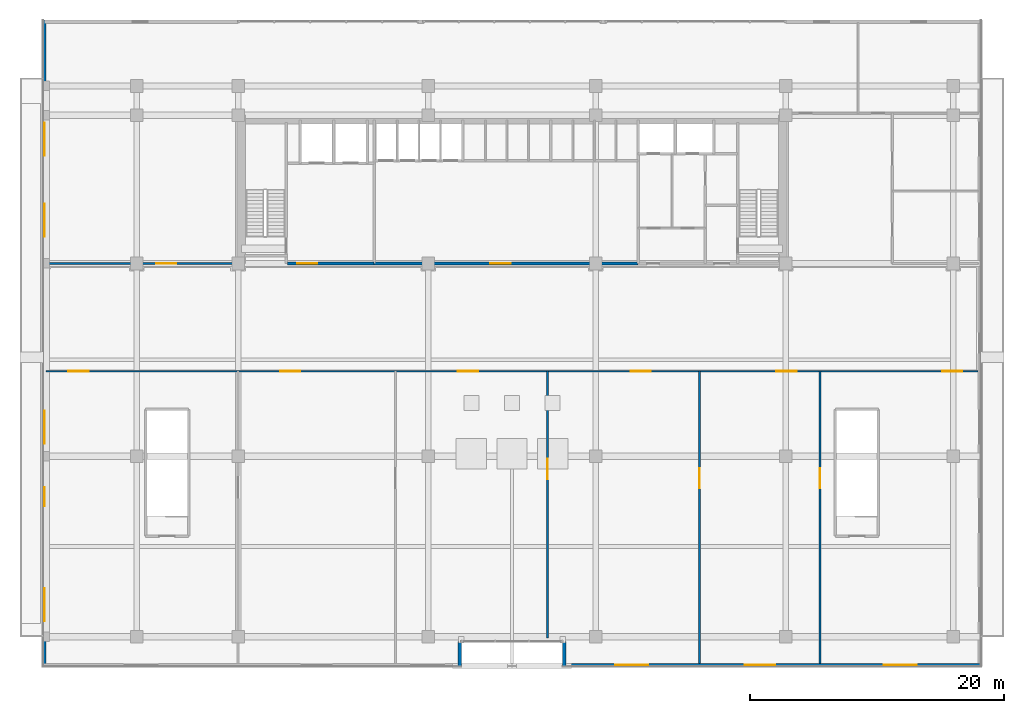
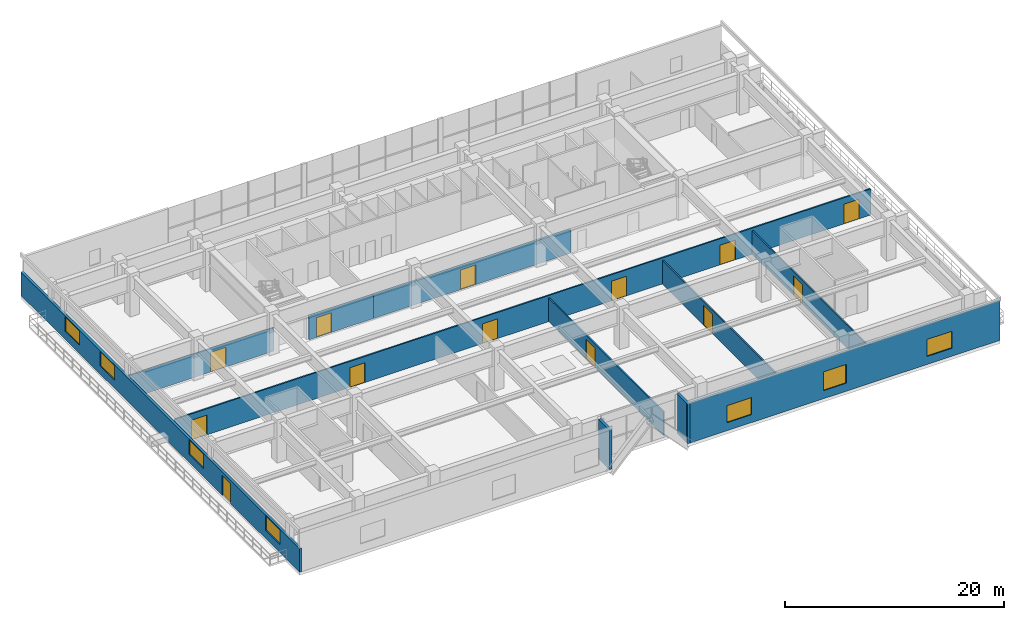
# One storey, part 11 of 17: 13 doors, 11 walls, 7 windows, 20 openings.
"""IFC4 building model written with IfcOpenShell, lengths in metres."""

from ifc_helpers import new_model, si_unit, direction, frame, frame_2d, origin, place, context, subcontext, project, spatial, rectangle, extrude, source, transform, mapped, material, layer, layer_set, type_object, element, fill, save


model = new_model("IFC4")

# Units and contexts
model_context = context("Model", 3, precision=1e-05, world=origin(), true_north=direction((0.0, 1.0)))
body_context = subcontext(model_context, "Body", "Model", "MODEL_VIEW")
ifc_project = project(units=[si_unit("LENGTHUNIT", "METRE"), si_unit("AREAUNIT", "SQUARE_METRE"), si_unit("VOLUMEUNIT", "CUBIC_METRE"), si_unit("PLANEANGLEUNIT", "RADIAN"), si_unit("MASSUNIT", "GRAM", prefix="KILO")], contexts=[model_context])

# Site, building, storey
site_placement = place(None, origin())
site = spatial("IfcSite", under=ifc_project, at=site_placement, CompositionType="ELEMENT")
building_placement = place(site_placement, origin())
building = spatial("IfcBuilding", under=site, at=building_placement, Name="Trelvane Seafront Commons", CompositionType="ELEMENT")
storey_placement = place(building_placement, frame((0.0, 0.0, 18.699951171875)))
storey = spatial("IfcBuildingStorey", under=building, at=storey_placement, Name="L04", CompositionType="ELEMENT", Elevation=18.699951171875)

# Wall, openings, windows
ifc_material_1 = material(Name="Precast concrete C40/50", Category="concrete")
ifc_layer_1 = layer(ifc_material_1, 0.260009765625, Name="ARCH-WALL-EXT260")
ifc_layer_set_1 = layer_set([ifc_layer_1], Name="Precast concrete C40/50")
wall_type_1 = type_object("IfcWallType", Name="ARCH-WALL-EXT260", PredefinedType="SOLIDWALL", material=ifc_layer_set_1)
wall_1_placement = place(storey_placement, frame((74.199951171875, 1.72998046875, 0.0), z_axis=(0.0, 0.0, 1.0), x_axis=(-1.0, 0.0, 0.0)))
wall_1 = element("IfcWall", 1, at=wall_1_placement, inside=storey, type_object=wall_type_1, Name="EW-L04-00040", PredefinedType="SOLIDWALL", context=body_context, shape_type="SweptSolid", body=[
    extrude(rectangle(XDim=33.0, YDim=0.260009765625, at=frame_2d((16.5, 0.0))), origin(), (0.0, 0.0, 1.0), 4.420166015625),
])
opening_1_placement = place(wall_1_placement, frame((5.094970703125, 0.0, 0.89990234375)))
opening_1 = element("IfcOpeningElement", 2, at=opening_1_placement, cuts=wall_1, Name="Opening W04", PredefinedType="OPENING", context=body_context, shape_type="SweptSolid", body=[
    extrude(rectangle(XDim=2.60009765625, YDim=1.89990234375, at=frame_2d((1.300048828125, 0.949951171875))), frame((0.0, 0.139892578125, 0.0), z_axis=(0.0, -1.0, 0.0), x_axis=(1.0, 0.0, 0.0)), (0.0, 0.0, 1.0), 0.280029296875),
])
opening_2_placement = place(wall_1_placement, frame((16.25, 0.0, 0.89990234375)))
opening_2 = element("IfcOpeningElement", 3, at=opening_2_placement, cuts=wall_1, Name="Opening W08", PredefinedType="OPENING", context=body_context, shape_type="SweptSolid", body=[
    extrude(rectangle(XDim=2.39990234375, YDim=2.10009765625, at=frame_2d((1.199951171875, 1.050048828125))), frame((0.0, 0.139892578125, 0.0), z_axis=(0.0, -1.0, 0.0), x_axis=(1.0, 0.0, 0.0)), (0.0, 0.0, 1.0), 0.280029296875),
])
opening_3_placement = place(wall_1_placement, frame((26.2548828125, 0.0, 0.89990234375)))
opening_3 = element("IfcOpeningElement", 4, at=opening_3_placement, cuts=wall_1, Name="Opening W04", PredefinedType="OPENING", context=body_context, shape_type="SweptSolid", body=[
    extrude(rectangle(XDim=2.60009765625, YDim=1.89990234375, at=frame_2d((1.300048828125, 0.949951171875))), frame((0.0, 0.139892578125, 0.0), z_axis=(0.0, -1.0, 0.0), x_axis=(1.0, 0.0, 0.0)), (0.0, 0.0, 1.0), 0.280029296875),
])
ifc_material_2 = material(Name="Low-E coastal double glazing", Category="glass")
window_type_1 = type_object("IfcWindowType", Name="ARCH-WIN-W08", PartitioningType="SINGLE_PANEL", PredefinedType="WINDOW", material=ifc_material_2)
shared_shape_1 = source(origin(), body_context, "Body", "SweptSolid", [
    extrude(rectangle(XDim=2.39990234375, YDim=2.10009765625, at=frame_2d((1.199951171875, 1.050048828125))), frame((0.0, 0.030029296875, 0.0), z_axis=(0.0, -1.0, 0.0), x_axis=(1.0, 0.0, 0.0)), (0.0, 0.0, 1.0), 0.06005859375),
])
window_1_placement = place(opening_2_placement, origin())
window_1 = element("IfcWindow", 5, at=window_1_placement, inside=storey, type_object=window_type_1, Name="WIN-L04-00065", OverallHeight=2.10009765625, OverallWidth=2.39990234375, PartitioningType="SINGLE_PANEL", PredefinedType="WINDOW", context=body_context, shape_type="MappedRepresentation", body=[
    mapped(shared_shape_1, transform((0.0, 0.0, 0.0), x_axis=(1.0, 0.0, 0.0), y_axis=(0.0, 1.0, 0.0), z_axis=(0.0, 0.0, 1.0), scale=1.0)),
])
fill(opening_2, window_1)
window_type_2 = type_object("IfcWindowType", Name="ARCH-WIN-W04", PartitioningType="SINGLE_PANEL", PredefinedType="WINDOW", material=ifc_material_2)
shared_shape_2 = source(origin(), body_context, "Body", "SweptSolid", [
    extrude(rectangle(XDim=2.60009765625, YDim=1.89990234375, at=frame_2d((1.300048828125, 0.949951171875))), frame((0.0, 0.030029296875, 0.0), z_axis=(0.0, -1.0, 0.0), x_axis=(1.0, 0.0, 0.0)), (0.0, 0.0, 1.0), 0.06005859375),
])
window_2_placement = place(opening_1_placement, origin())
window_2 = element("IfcWindow", 6, at=window_2_placement, inside=storey, type_object=window_type_2, Name="WIN-L04-00064", OverallHeight=1.89990234375, OverallWidth=2.60009765625, PartitioningType="SINGLE_PANEL", PredefinedType="WINDOW", context=body_context, shape_type="MappedRepresentation", body=[
    mapped(shared_shape_2, transform((0.0, 0.0, 0.0), x_axis=(1.0, 0.0, 0.0), y_axis=(0.0, 1.0, 0.0), z_axis=(0.0, 0.0, 1.0), scale=1.0)),
])
fill(opening_1, window_2)
window_3_placement = place(opening_3_placement, origin())
window_3 = element("IfcWindow", 7, at=window_3_placement, inside=storey, type_object=window_type_2, Name="WIN-L04-00066", OverallHeight=1.89990234375, OverallWidth=2.60009765625, PartitioningType="SINGLE_PANEL", PredefinedType="WINDOW", context=body_context, shape_type="MappedRepresentation", body=[
    mapped(shared_shape_2, transform((0.0, 0.0, 0.0), x_axis=(1.0, 0.0, 0.0), y_axis=(0.0, 1.0, 0.0), z_axis=(0.0, 0.0, 1.0), scale=1.0)),
])
fill(opening_3, window_3)

# Walls
for number, where, z_axis, x_axis, name in (
    (8, (41.330078125, 1.60009765625, 0.0), (0.0, 0.0, 1.0), (0.0, 1.0, 0.0), "EW-L04-00041"),
    (9, (33.070068359375, 3.60009765625, 0.0), (0.0, 0.0, 1.0), (0.0, -1.0, 0.0), "EW-L04-00042"),
):
    element("IfcWall", number, at=place(storey_placement, frame(where, z_axis=z_axis, x_axis=x_axis)), inside=storey, type_object=wall_type_1, Name=name, PredefinedType="SOLIDWALL", context=body_context, shape_type="SweptSolid", body=[
        extrude(rectangle(XDim=2.0, YDim=0.260009765625, at=frame_2d((1.0, 0.0))), origin(), (0.0, 0.0, 1.0), 4.420166015625),
    ])

# Wall, openings, door, windows
wall_2_placement = place(storey_placement, frame((0.330078125, 1.60009765625, 0.0), z_axis=(0.0, 0.0, 1.0), x_axis=(0.0, 1.0, 0.0)))
wall_2 = element("IfcWall", 10, at=wall_2_placement, inside=storey, type_object=wall_type_1, Name="EW-L04-00044", PredefinedType="SOLIDWALL", context=body_context, shape_type="SweptSolid", body=[
    extrude(rectangle(XDim=51.0, YDim=0.260009765625, at=frame_2d((25.5, 0.0))), origin(), (0.0, 0.0, 1.0), 2.6201171875),
])
opening_4_placement = place(wall_2_placement, frame((12.655029296875, 0.0, 0.0)))
opening_4 = element("IfcOpeningElement", 11, at=opening_4_placement, cuts=wall_2, Name="Opening TD-L04-12", PredefinedType="OPENING", context=body_context, shape_type="SweptSolid", body=[
    extrude(rectangle(XDim=1.5, YDim=2.25, at=frame_2d((0.75, 1.125))), frame((0.0, 0.139892578125, 0.0), z_axis=(0.0, -1.0, 0.0), x_axis=(1.0, 0.0, 0.0)), (0.0, 0.0, 1.0), 0.280029296875),
])
opening_5_placement = place(wall_2_placement, frame((3.60009765625, 0.0, 0.919921875)))
opening_5 = element("IfcOpeningElement", 12, at=opening_5_placement, cuts=wall_2, Name="Opening W04", PredefinedType="OPENING", context=body_context, shape_type="SweptSolid", body=[
    extrude(rectangle(XDim=2.60009765625, YDim=1.60009765625, at=frame_2d((1.300048828125, 0.800048828125))), frame((0.0, 0.139892578125, 0.0), z_axis=(0.0, -1.0, 0.0), x_axis=(1.0, 0.0, 0.0)), (0.0, 0.0, 1.0), 0.280029296875),
])
opening_6_placement = place(wall_2_placement, frame((17.60009765625, 0.0, 0.919921875)))
opening_6 = element("IfcOpeningElement", 13, at=opening_6_placement, cuts=wall_2, Name="Opening W04", PredefinedType="OPENING", context=body_context, shape_type="SweptSolid", body=[
    extrude(rectangle(XDim=2.60009765625, YDim=1.60009765625, at=frame_2d((1.300048828125, 0.800048828125))), frame((0.0, 0.139892578125, 0.0), z_axis=(0.0, -1.0, 0.0), x_axis=(1.0, 0.0, 0.0)), (0.0, 0.0, 1.0), 0.280029296875),
])
opening_7_placement = place(wall_2_placement, frame((33.89990234375, 0.0, 0.919921875)))
opening_7 = element("IfcOpeningElement", 14, at=opening_7_placement, cuts=wall_2, Name="Opening W04", PredefinedType="OPENING", context=body_context, shape_type="SweptSolid", body=[
    extrude(rectangle(XDim=2.60009765625, YDim=1.60009765625, at=frame_2d((1.300048828125, 0.800048828125))), frame((0.0, 0.139892578125, 0.0), z_axis=(0.0, -1.0, 0.0), x_axis=(1.0, 0.0, 0.0)), (0.0, 0.0, 1.0), 0.280029296875),
])
opening_8_placement = place(wall_2_placement, frame((40.300048828125, 0.0, 0.919921875)))
opening_8 = element("IfcOpeningElement", 15, at=opening_8_placement, cuts=wall_2, Name="Opening W04", PredefinedType="OPENING", context=body_context, shape_type="SweptSolid", body=[
    extrude(rectangle(XDim=2.60009765625, YDim=1.60009765625, at=frame_2d((1.300048828125, 0.800048828125))), frame((0.0, 0.139892578125, 0.0), z_axis=(0.0, -1.0, 0.0), x_axis=(1.0, 0.0, 0.0)), (0.0, 0.0, 1.0), 0.280029296875),
])
ifc_material_3 = material(Name="Powder-coated aluminium frame", Category="aluminium")
door_type_1 = type_object("IfcDoorType", Name="ARCH-DR-TER1500", OperationType="DOUBLE_DOOR_SINGLE_SWING", PredefinedType="DOOR", material=ifc_material_3)
shared_shape_3 = source(origin(), body_context, "Body", "SweptSolid", [
    extrude(rectangle(XDim=1.5, YDim=2.25, at=frame_2d((0.75, 1.125))), frame((0.0, 0.02490234375, 0.0), z_axis=(0.0, -1.0, 0.0), x_axis=(1.0, 0.0, 0.0)), (0.0, 0.0, 1.0), 0.050048828125),
])
door_1_placement = place(opening_4_placement, origin())
door_1 = element("IfcDoor", 16, at=door_1_placement, inside=storey, type_object=door_type_1, Name="L04 Setback Terrace Access Door", OperationType="DOUBLE_DOOR_SINGLE_SWING", OverallHeight=2.25, OverallWidth=1.5, PredefinedType="DOOR", context=body_context, shape_type="MappedRepresentation", body=[
    mapped(shared_shape_3, transform((0.0, 0.0, 0.0), x_axis=(1.0, 0.0, 0.0), y_axis=(0.0, 1.0, 0.0), z_axis=(0.0, 0.0, 1.0), scale=1.0)),
])
fill(opening_4, door_1)
shared_shape_4 = source(origin(), body_context, "Body", "SweptSolid", [
    extrude(rectangle(XDim=2.60009765625, YDim=1.60009765625, at=frame_2d((1.300048828125, 0.800048828125))), frame((0.0, 0.030029296875, 0.0), z_axis=(0.0, -1.0, 0.0), x_axis=(1.0, 0.0, 0.0)), (0.0, 0.0, 1.0), 0.06005859375),
])
window_4_placement = place(opening_5_placement, origin())
window_4 = element("IfcWindow", 17, at=window_4_placement, inside=storey, type_object=window_type_2, Name="WIN-L04-EW-00070", OverallHeight=1.60009765625, OverallWidth=2.60009765625, PartitioningType="SINGLE_PANEL", PredefinedType="WINDOW", context=body_context, shape_type="MappedRepresentation", body=[
    mapped(shared_shape_4, transform((0.0, 0.0, 0.0), x_axis=(1.0, 0.0, 0.0), y_axis=(0.0, 1.0, 0.0), z_axis=(0.0, 0.0, 1.0), scale=1.0)),
])
fill(opening_5, window_4)
window_5_placement = place(opening_6_placement, origin())
window_5 = element("IfcWindow", 18, at=window_5_placement, inside=storey, type_object=window_type_2, Name="WIN-L04-EW-00071", OverallHeight=1.60009765625, OverallWidth=2.60009765625, PartitioningType="SINGLE_PANEL", PredefinedType="WINDOW", context=body_context, shape_type="MappedRepresentation", body=[
    mapped(shared_shape_4, transform((0.0, 0.0, 0.0), x_axis=(1.0, 0.0, 0.0), y_axis=(0.0, 1.0, 0.0), z_axis=(0.0, 0.0, 1.0), scale=1.0)),
])
fill(opening_6, window_5)
window_6_placement = place(opening_7_placement, origin())
window_6 = element("IfcWindow", 19, at=window_6_placement, inside=storey, type_object=window_type_2, Name="WIN-L04-EW-00072", OverallHeight=1.60009765625, OverallWidth=2.60009765625, PartitioningType="SINGLE_PANEL", PredefinedType="WINDOW", context=body_context, shape_type="MappedRepresentation", body=[
    mapped(shared_shape_4, transform((0.0, 0.0, 0.0), x_axis=(1.0, 0.0, 0.0), y_axis=(0.0, 1.0, 0.0), z_axis=(0.0, 0.0, 1.0), scale=1.0)),
])
fill(opening_7, window_6)
window_7_placement = place(opening_8_placement, origin())
window_7 = element("IfcWindow", 20, at=window_7_placement, inside=storey, type_object=window_type_2, Name="WIN-L04-EW-00073", OverallHeight=1.60009765625, OverallWidth=2.60009765625, PartitioningType="SINGLE_PANEL", PredefinedType="WINDOW", context=body_context, shape_type="MappedRepresentation", body=[
    mapped(shared_shape_4, transform((0.0, 0.0, 0.0), x_axis=(1.0, 0.0, 0.0), y_axis=(0.0, 1.0, 0.0), z_axis=(0.0, 0.0, 1.0), scale=1.0)),
])
fill(opening_8, window_7)

# Wall, opening, door
ifc_material_4 = material(Name="Concrete C40/50", Category="concrete")
ifc_layer_2 = layer(ifc_material_4, 0.25, Name="ARCH-WALL-FIRE250")
ifc_layer_set_2 = layer_set([ifc_layer_2], Name="Concrete C40/50")
wall_type_2 = type_object("IfcWallType", Name="ARCH-WALL-FIRE250", PredefinedType="PARTITIONING", material=ifc_layer_set_2)
wall_3_placement = place(storey_placement, frame((19.5, 33.39990234375, 0.0), z_axis=(0.0, 0.0, 1.0), x_axis=(1.0, 0.0, 0.0)))
wall_3 = element("IfcWall", 21, at=wall_3_placement, inside=storey, type_object=wall_type_2, Name="W-L04-CS-FFL-021", PredefinedType="PARTITIONING", context=body_context, shape_type="SweptSolid", body=[
    extrude(rectangle(XDim=6.800048828125, YDim=0.25, at=frame_2d((3.39990234375, 0.0))), origin(), (0.0, 0.0, 1.0), 2.6201171875),
])
opening_9_placement = place(wall_3_placement, frame((0.75, 0.0, 0.0)))
opening_9 = element("IfcOpeningElement", 22, at=opening_9_placement, cuts=wall_3, Name="Opening FD-L04-07", PredefinedType="OPENING", context=body_context, shape_type="SweptSolid", body=[
    extrude(rectangle(XDim=1.60009765625, YDim=2.199951171875, at=frame_2d((0.800048828125, 1.10009765625))), frame((0.0, 0.135009765625, 0.0), z_axis=(0.0, -1.0, 0.0), x_axis=(1.0, 0.0, 0.0)), (0.0, 0.0, 1.0), 0.27001953125),
])
door_type_2 = type_object("IfcDoorType", Name="ARCH-DR-FD60-1600", OperationType="DOUBLE_DOOR_SINGLE_SWING", PredefinedType="DOOR", material=ifc_material_3)
shared_shape_5 = source(origin(), body_context, "Body", "SweptSolid", [
    extrude(rectangle(XDim=1.60009765625, YDim=2.199951171875, at=frame_2d((0.800048828125, 1.10009765625))), frame((0.0, 0.02490234375, 0.0), z_axis=(0.0, -1.0, 0.0), x_axis=(1.0, 0.0, 0.0)), (0.0, 0.0, 1.0), 0.050048828125),
])
door_2_placement = place(opening_9_placement, origin())
door_2 = element("IfcDoor", 23, at=door_2_placement, inside=storey, type_object=door_type_2, Name="L04 Firefighting Lift Lobby Double Fire Door", OperationType="DOUBLE_DOOR_SINGLE_SWING", OverallHeight=2.199951171875, OverallWidth=1.60009765625, PredefinedType="DOOR", context=body_context, shape_type="MappedRepresentation", body=[
    mapped(shared_shape_5, transform((0.0, 0.0, 0.0), x_axis=(1.0, 0.0, 0.0), y_axis=(0.0, 1.0, 0.0), z_axis=(0.0, 0.0, 1.0), scale=1.0)),
])
fill(opening_9, door_2)

wall_4_placement = place(storey_placement, frame((26.300048828125, 33.39990234375, 0.0), z_axis=(0.0, 0.0, 1.0), x_axis=(1.0, 0.0, 0.0)))
wall_4 = element("IfcWall", 24, at=wall_4_placement, inside=storey, type_object=wall_type_2, Name="W-L04-CS-PAX-037", PredefinedType="PARTITIONING", context=body_context, shape_type="SweptSolid", body=[
    extrude(rectangle(XDim=20.849853515625, YDim=0.25, at=frame_2d((10.4248046875, 0.0))), origin(), (0.0, 0.0, 1.0), 2.6201171875),
])
opening_10_placement = place(wall_4_placement, frame((9.199951171875, 0.0, 0.0)))
opening_10 = element("IfcOpeningElement", 25, at=opening_10_placement, cuts=wall_4, Name="Opening FD-L04-12", PredefinedType="OPENING", context=body_context, shape_type="SweptSolid", body=[
    extrude(rectangle(XDim=1.60009765625, YDim=2.199951171875, at=frame_2d((0.800048828125, 1.10009765625))), frame((0.0, 0.135009765625, 0.0), z_axis=(0.0, -1.0, 0.0), x_axis=(1.0, 0.0, 0.0)), (0.0, 0.0, 1.0), 0.27001953125),
])
door_3_placement = place(opening_10_placement, origin())
door_3 = element("IfcDoor", 26, at=door_3_placement, inside=storey, type_object=door_type_2, Name="L04 Passenger Lift Lobby Double Door", OperationType="DOUBLE_DOOR_SINGLE_SWING", OverallHeight=2.199951171875, OverallWidth=1.60009765625, PredefinedType="DOOR", context=body_context, shape_type="MappedRepresentation", body=[
    mapped(shared_shape_5, transform((0.0, 0.0, 0.0), x_axis=(1.0, 0.0, 0.0), y_axis=(0.0, 1.0, 0.0), z_axis=(0.0, 0.0, 1.0), scale=1.0)),
])
fill(opening_10, door_3)

ifc_material_5 = material(Name="Gypsum Drywall Acoustic Partition")
ifc_layer_3 = layer(ifc_material_5, 0.14990234375, Name="ARCH-WALL-PART150")
ifc_layer_set_3 = layer_set([ifc_layer_3], Name="Gypsum Drywall Acoustic Partition")
wall_type_3 = type_object("IfcWallType", Name="ARCH-WALL-PART150", PredefinedType="PARTITIONING", material=ifc_layer_set_3)
wall_5_placement = place(storey_placement, frame((0.449951171875, 33.39990234375, 0.0), z_axis=(0.0, 0.0, 1.0), x_axis=(1.0, 0.0, 0.0)))
wall_5 = element("IfcWall", 27, at=wall_5_placement, inside=storey, type_object=wall_type_3, Name="W-L04-POD-NW-S-046", PredefinedType="PARTITIONING", context=body_context, shape_type="SweptSolid", body=[
    extrude(rectangle(XDim=15.35009765625, YDim=0.14990234375, at=frame_2d((7.675048828125, 0.0))), origin(), (0.0, 0.0, 1.0), 2.6201171875),
])
opening_11_placement = place(wall_5_placement, frame((8.678955078125, 0.0, 0.0)))
opening_11 = element("IfcOpeningElement", 28, at=opening_11_placement, cuts=wall_5, Name="Opening D-L04-20", PredefinedType="OPENING", context=body_context, shape_type="SweptSolid", body=[
    extrude(rectangle(XDim=1.60009765625, YDim=2.199951171875, at=frame_2d((0.800048828125, 1.10009765625))), frame((0.0, 0.0849609375, 0.0), z_axis=(0.0, -1.0, 0.0), x_axis=(1.0, 0.0, 0.0)), (0.0, 0.0, 1.0), 0.169921875),
])
ifc_material_6 = material(Name="Acoustic timber door leaf", Category="wood")
door_type_3 = type_object("IfcDoorType", Name="ARCH-DR-GLZ1600", OperationType="DOUBLE_DOOR_SINGLE_SWING", PredefinedType="DOOR", material=ifc_material_6)
door_4_placement = place(opening_11_placement, origin())
door_4 = element("IfcDoor", 29, at=door_4_placement, inside=storey, type_object=door_type_3, Name="L04 West Study Suite Door", OperationType="DOUBLE_DOOR_SINGLE_SWING", OverallHeight=2.199951171875, OverallWidth=1.60009765625, PredefinedType="DOOR", context=body_context, shape_type="MappedRepresentation", body=[
    mapped(shared_shape_5, transform((0.0, 0.0, 0.0), x_axis=(1.0, 0.0, 0.0), y_axis=(0.0, 1.0, 0.0), z_axis=(0.0, 0.0, 1.0), scale=1.0)),
])
fill(opening_11, door_4)

# Wall, openings, doors
wall_6_placement = place(storey_placement, frame((0.449951171875, 24.89990234375, 0.0), z_axis=(0.0, 0.0, 1.0), x_axis=(1.0, 0.0, 0.0)))
wall_6 = element("IfcWall", 30, at=wall_6_placement, inside=storey, type_object=wall_type_3, Name="W-L04-POD-SPINE-052", PredefinedType="PARTITIONING", context=body_context, shape_type="SweptSolid", body=[
    extrude(rectangle(XDim=73.5, YDim=0.14990234375, at=frame_2d((36.75, 0.0))), origin(), (0.0, 0.0, 1.0), 2.920166015625),
])
opening_12_placement = place(wall_6_placement, frame((1.764892578125, 0.0, 0.0)))
opening_12 = element("IfcOpeningElement", 31, at=opening_12_placement, cuts=wall_6, Name="Opening D-L04-25", PredefinedType="OPENING", context=body_context, shape_type="SweptSolid", body=[
    extrude(rectangle(XDim=1.60009765625, YDim=2.199951171875, at=frame_2d((0.800048828125, 1.10009765625))), frame((0.0, 0.0849609375, 0.0), z_axis=(0.0, -1.0, 0.0), x_axis=(1.0, 0.0, 0.0)), (0.0, 0.0, 1.0), 0.169921875),
])
opening_13_placement = place(wall_6_placement, frame((18.458984375, 0.0, 0.0)))
opening_13 = element("IfcOpeningElement", 32, at=opening_13_placement, cuts=wall_6, Name="Opening D-L04-26", PredefinedType="OPENING", context=body_context, shape_type="SweptSolid", body=[
    extrude(rectangle(XDim=1.60009765625, YDim=2.199951171875, at=frame_2d((0.800048828125, 1.10009765625))), frame((0.0, 0.0849609375, 0.0), z_axis=(0.0, -1.0, 0.0), x_axis=(1.0, 0.0, 0.0)), (0.0, 0.0, 1.0), 0.169921875),
])
opening_14_placement = place(wall_6_placement, frame((32.47802734375, 0.0, 0.0)))
opening_14 = element("IfcOpeningElement", 33, at=opening_14_placement, cuts=wall_6, Name="Opening D-L04-27", PredefinedType="OPENING", context=body_context, shape_type="SweptSolid", body=[
    extrude(rectangle(XDim=1.60009765625, YDim=2.199951171875, at=frame_2d((0.800048828125, 1.10009765625))), frame((0.0, 0.0849609375, 0.0), z_axis=(0.0, -1.0, 0.0), x_axis=(1.0, 0.0, 0.0)), (0.0, 0.0, 1.0), 0.169921875),
])
opening_15_placement = place(wall_6_placement, frame((46.10791015625, 0.0, 0.0)))
opening_15 = element("IfcOpeningElement", 34, at=opening_15_placement, cuts=wall_6, Name="Opening D-L04-28", PredefinedType="OPENING", context=body_context, shape_type="SweptSolid", body=[
    extrude(rectangle(XDim=1.60009765625, YDim=2.199951171875, at=frame_2d((0.800048828125, 1.10009765625))), frame((0.0, 0.0849609375, 0.0), z_axis=(0.0, -1.0, 0.0), x_axis=(1.0, 0.0, 0.0)), (0.0, 0.0, 1.0), 0.169921875),
])
opening_16_placement = place(wall_6_placement, frame((57.593994140625, 0.0, 0.0)))
opening_16 = element("IfcOpeningElement", 35, at=opening_16_placement, cuts=wall_6, Name="Opening D-L04-29", PredefinedType="OPENING", context=body_context, shape_type="SweptSolid", body=[
    extrude(rectangle(XDim=1.60009765625, YDim=2.199951171875, at=frame_2d((0.800048828125, 1.10009765625))), frame((0.0, 0.0849609375, 0.0), z_axis=(0.0, -1.0, 0.0), x_axis=(1.0, 0.0, 0.0)), (0.0, 0.0, 1.0), 0.169921875),
])
opening_17_placement = place(wall_6_placement, frame((70.676025390625, 0.0, 0.0)))
opening_17 = element("IfcOpeningElement", 36, at=opening_17_placement, cuts=wall_6, Name="Opening D-L04-30", PredefinedType="OPENING", context=body_context, shape_type="SweptSolid", body=[
    extrude(rectangle(XDim=1.60009765625, YDim=2.199951171875, at=frame_2d((0.800048828125, 1.10009765625))), frame((0.0, 0.0849609375, 0.0), z_axis=(0.0, -1.0, 0.0), x_axis=(1.0, 0.0, 0.0)), (0.0, 0.0, 1.0), 0.169921875),
])
door_5_placement = place(opening_12_placement, origin())
door_5 = element("IfcDoor", 37, at=door_5_placement, inside=storey, type_object=door_type_3, Name="L04 Door 25", OperationType="DOUBLE_DOOR_SINGLE_SWING", OverallHeight=2.199951171875, OverallWidth=1.60009765625, PredefinedType="DOOR", context=body_context, shape_type="MappedRepresentation", body=[
    mapped(shared_shape_5, transform((0.0, 0.0, 0.0), x_axis=(1.0, 0.0, 0.0), y_axis=(0.0, 1.0, 0.0), z_axis=(0.0, 0.0, 1.0), scale=1.0)),
])
fill(opening_12, door_5)
door_6_placement = place(opening_13_placement, origin())
door_6 = element("IfcDoor", 38, at=door_6_placement, inside=storey, type_object=door_type_3, Name="L04 Door 26", OperationType="DOUBLE_DOOR_SINGLE_SWING", OverallHeight=2.199951171875, OverallWidth=1.60009765625, PredefinedType="DOOR", context=body_context, shape_type="MappedRepresentation", body=[
    mapped(shared_shape_5, transform((0.0, 0.0, 0.0), x_axis=(1.0, 0.0, 0.0), y_axis=(0.0, 1.0, 0.0), z_axis=(0.0, 0.0, 1.0), scale=1.0)),
])
fill(opening_13, door_6)
door_7_placement = place(opening_14_placement, origin())
door_7 = element("IfcDoor", 39, at=door_7_placement, inside=storey, type_object=door_type_3, Name="L04 Door 27", OperationType="DOUBLE_DOOR_SINGLE_SWING", OverallHeight=2.199951171875, OverallWidth=1.60009765625, PredefinedType="DOOR", context=body_context, shape_type="MappedRepresentation", body=[
    mapped(shared_shape_5, transform((0.0, 0.0, 0.0), x_axis=(1.0, 0.0, 0.0), y_axis=(0.0, 1.0, 0.0), z_axis=(0.0, 0.0, 1.0), scale=1.0)),
])
fill(opening_14, door_7)
door_8_placement = place(opening_15_placement, origin())
door_8 = element("IfcDoor", 40, at=door_8_placement, inside=storey, type_object=door_type_3, Name="L04 Door 28", OperationType="DOUBLE_DOOR_SINGLE_SWING", OverallHeight=2.199951171875, OverallWidth=1.60009765625, PredefinedType="DOOR", context=body_context, shape_type="MappedRepresentation", body=[
    mapped(shared_shape_5, transform((0.0, 0.0, 0.0), x_axis=(1.0, 0.0, 0.0), y_axis=(0.0, 1.0, 0.0), z_axis=(0.0, 0.0, 1.0), scale=1.0)),
])
fill(opening_15, door_8)
door_9_placement = place(opening_16_placement, origin())
door_9 = element("IfcDoor", 41, at=door_9_placement, inside=storey, type_object=door_type_3, Name="L04 Door 29", OperationType="DOUBLE_DOOR_SINGLE_SWING", OverallHeight=2.199951171875, OverallWidth=1.60009765625, PredefinedType="DOOR", context=body_context, shape_type="MappedRepresentation", body=[
    mapped(shared_shape_5, transform((0.0, 0.0, 0.0), x_axis=(1.0, 0.0, 0.0), y_axis=(0.0, 1.0, 0.0), z_axis=(0.0, 0.0, 1.0), scale=1.0)),
])
fill(opening_16, door_9)
door_10_placement = place(opening_17_placement, origin())
door_10 = element("IfcDoor", 42, at=door_10_placement, inside=storey, type_object=door_type_3, Name="L04 Door 30", OperationType="DOUBLE_DOOR_SINGLE_SWING", OverallHeight=2.199951171875, OverallWidth=1.60009765625, PredefinedType="DOOR", context=body_context, shape_type="MappedRepresentation", body=[
    mapped(shared_shape_5, transform((0.0, 0.0, 0.0), x_axis=(1.0, 0.0, 0.0), y_axis=(0.0, 1.0, 0.0), z_axis=(0.0, 0.0, 1.0), scale=1.0)),
])
fill(opening_17, door_10)

# Wall, opening, door
wall_7_placement = place(storey_placement, frame((40.0, 3.85009765625, 0.0), z_axis=(0.0, 0.0, 1.0), x_axis=(0.0, 1.0, 0.0)))
wall_7 = element("IfcWall", 43, at=wall_7_placement, inside=storey, type_object=wall_type_3, Name="W-L04-POD-DIV-3-055", PredefinedType="PARTITIONING", context=body_context, shape_type="SweptSolid", body=[
    extrude(rectangle(XDim=21.0498046875, YDim=0.14990234375, at=frame_2d((10.52490234375, 0.0))), origin(), (0.0, 0.0, 1.0), 2.6201171875),
])
opening_18_placement = place(wall_7_placement, frame((12.5380859375, 0.0, 0.0)))
opening_18 = element("IfcOpeningElement", 44, at=opening_18_placement, cuts=wall_7, Name="Opening D-L04-33", PredefinedType="OPENING", context=body_context, shape_type="SweptSolid", body=[
    extrude(rectangle(XDim=1.60009765625, YDim=2.199951171875, at=frame_2d((0.800048828125, 1.10009765625))), frame((0.0, 0.0849609375, 0.0), z_axis=(0.0, -1.0, 0.0), x_axis=(1.0, 0.0, 0.0)), (0.0, 0.0, 1.0), 0.169921875),
])
door_11_placement = place(opening_18_placement, origin())
door_11 = element("IfcDoor", 45, at=door_11_placement, inside=storey, type_object=door_type_3, Name="L04 Door 33", OperationType="DOUBLE_DOOR_SINGLE_SWING", OverallHeight=2.199951171875, OverallWidth=1.60009765625, PredefinedType="DOOR", context=body_context, shape_type="MappedRepresentation", body=[
    mapped(shared_shape_5, transform((0.0, 0.0, 0.0), x_axis=(1.0, 0.0, 0.0), y_axis=(0.0, 1.0, 0.0), z_axis=(0.0, 0.0, 1.0), scale=1.0)),
])
fill(opening_18, door_11)

wall_8_placement = place(storey_placement, frame((52.0, 1.85009765625, 0.0), z_axis=(0.0, 0.0, 1.0), x_axis=(0.0, 1.0, 0.0)))
wall_8 = element("IfcWall", 46, at=wall_8_placement, inside=storey, type_object=wall_type_3, Name="W-L04-POD-DIV-4-056", PredefinedType="PARTITIONING", context=body_context, shape_type="SweptSolid", body=[
    extrude(rectangle(XDim=23.0498046875, YDim=0.14990234375, at=frame_2d((11.52490234375, 0.0))), origin(), (0.0, 0.0, 1.0), 2.6201171875),
])
opening_19_placement = place(wall_8_placement, frame((13.81005859375, 0.0, 0.0)))
opening_19 = element("IfcOpeningElement", 47, at=opening_19_placement, cuts=wall_8, Name="Opening D-L04-34", PredefinedType="OPENING", context=body_context, shape_type="SweptSolid", body=[
    extrude(rectangle(XDim=1.60009765625, YDim=2.199951171875, at=frame_2d((0.800048828125, 1.10009765625))), frame((0.0, 0.0849609375, 0.0), z_axis=(0.0, -1.0, 0.0), x_axis=(1.0, 0.0, 0.0)), (0.0, 0.0, 1.0), 0.169921875),
])
door_12_placement = place(opening_19_placement, origin())
door_12 = element("IfcDoor", 48, at=door_12_placement, inside=storey, type_object=door_type_3, Name="L04 Door 34", OperationType="DOUBLE_DOOR_SINGLE_SWING", OverallHeight=2.199951171875, OverallWidth=1.60009765625, PredefinedType="DOOR", context=body_context, shape_type="MappedRepresentation", body=[
    mapped(shared_shape_5, transform((0.0, 0.0, 0.0), x_axis=(1.0, 0.0, 0.0), y_axis=(0.0, 1.0, 0.0), z_axis=(0.0, 0.0, 1.0), scale=1.0)),
])
fill(opening_19, door_12)

wall_9_placement = place(storey_placement, frame((61.5, 1.85009765625, 0.0), z_axis=(0.0, 0.0, 1.0), x_axis=(0.0, 1.0, 0.0)))
wall_9 = element("IfcWall", 49, at=wall_9_placement, inside=storey, type_object=wall_type_3, Name="W-L04-POD-DIV-5-057", PredefinedType="PARTITIONING", context=body_context, shape_type="SweptSolid", body=[
    extrude(rectangle(XDim=23.0498046875, YDim=0.14990234375, at=frame_2d((11.52490234375, 0.0))), origin(), (0.0, 0.0, 1.0), 2.6201171875),
])
opening_20_placement = place(wall_9_placement, frame((13.81005859375, 0.0, 0.0)))
opening_20 = element("IfcOpeningElement", 50, at=opening_20_placement, cuts=wall_9, Name="Opening D-L04-35", PredefinedType="OPENING", context=body_context, shape_type="SweptSolid", body=[
    extrude(rectangle(XDim=1.60009765625, YDim=2.199951171875, at=frame_2d((0.800048828125, 1.10009765625))), frame((0.0, 0.0849609375, 0.0), z_axis=(0.0, -1.0, 0.0), x_axis=(1.0, 0.0, 0.0)), (0.0, 0.0, 1.0), 0.169921875),
])
door_13_placement = place(opening_20_placement, origin())
door_13 = element("IfcDoor", 51, at=door_13_placement, inside=storey, type_object=door_type_3, Name="L04 Door 35", OperationType="DOUBLE_DOOR_SINGLE_SWING", OverallHeight=2.199951171875, OverallWidth=1.60009765625, PredefinedType="DOOR", context=body_context, shape_type="MappedRepresentation", body=[
    mapped(shared_shape_5, transform((0.0, 0.0, 0.0), x_axis=(1.0, 0.0, 0.0), y_axis=(0.0, 1.0, 0.0), z_axis=(0.0, 0.0, 1.0), scale=1.0)),
])
fill(opening_20, door_13)

save(model, "model.ifc")
